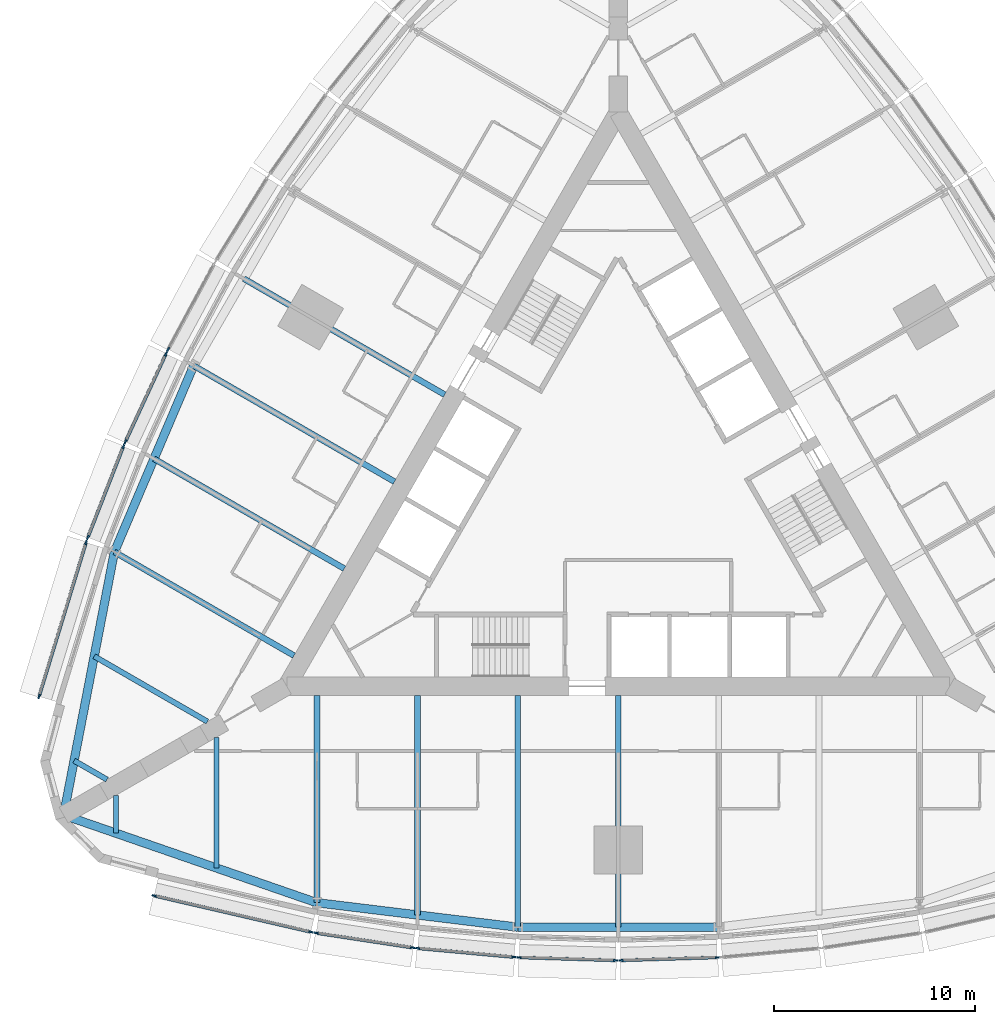
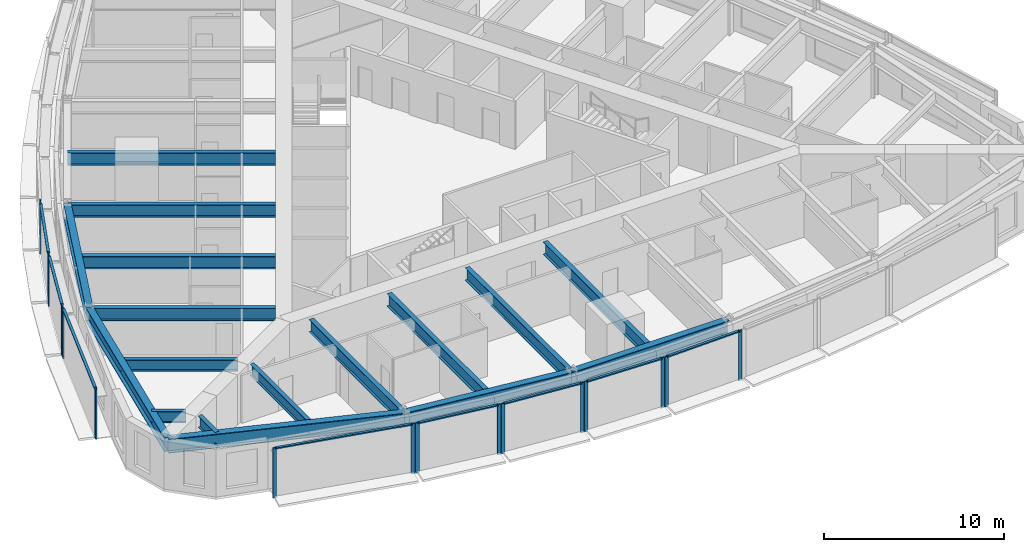
# One storey, part 2 of 14: 25 members, 17 beams, 9 elements without a shape of their own.
"""IFC4 building model written with IfcOpenShell, lengths in metres."""

from ifc_helpers import new_model, si_unit, direction, frame, origin, origin_2d, place, context, subcontext, project, spatial, rectangle, i_section, extrude, material, material_profile, profile_set, type_object, element, aggregate, save


model = new_model("IFC4")

# Units and contexts
model_context = context("Model", 3, precision=1e-05, world=origin(), true_north=direction((0.0, 1.0)))
body_context = subcontext(model_context, "Body", "Model", "MODEL_VIEW")
ifc_project = project(units=[si_unit("LENGTHUNIT", "METRE"), si_unit("AREAUNIT", "SQUARE_METRE"), si_unit("VOLUMEUNIT", "CUBIC_METRE"), si_unit("PLANEANGLEUNIT", "RADIAN"), si_unit("MASSUNIT", "GRAM", prefix="KILO")], contexts=[model_context])

# Site, building, storey
site_placement = place(None, origin())
site = spatial("IfcSite", under=ifc_project, at=site_placement, CompositionType="ELEMENT")
building_placement = place(site_placement, origin())
building = spatial("IfcBuilding", under=site, at=building_placement, Name="Trikona Tower", CompositionType="ELEMENT")
storey_placement = place(building_placement, frame((0.0, 0.0, 48.89990234375)))
storey = spatial("IfcBuildingStorey", under=building, at=storey_placement, Name="L11", CompositionType="ELEMENT", Elevation=48.89990234375)

# Curtain wall, members
ifc_material_1 = material(Name="Aluminium curtain wall system", Category="aluminium")
curtain_wall_type = type_object("IfcCurtainWallType", Name="Curtain wall DS1", PredefinedType="NOTDEFINED", material=ifc_material_1)
curtain_wall_1_placement = place(storey_placement, origin())
curtain_wall_1 = element("IfcCurtainWall", 1, at=curtain_wall_1_placement, inside=storey, type_object=curtain_wall_type, Name="Curtain wall DS1 L11", PredefinedType="NOTDEFINED")
ifc_material_2 = material(Name="Aluminium mullion, pale anodised", Category="aluminium")
ifc_material_profile_1 = material_profile(ifc_material_2, rectangle(XDim=0.080078125, YDim=0.219970703125, at=origin_2d()), Name="MUL-DS1")
ifc_profile_set_1 = profile_set([ifc_material_profile_1], Name="Aluminium mullion, pale anodised")
member_type_1 = type_object("IfcMemberType", Name="Mullion DS1 80x220", PredefinedType="MULLION", material=ifc_profile_set_1)
member_1_placement = place(storey_placement, frame((-23.10546875, -19.951904296875, 0.0), z_axis=(0.0, 0.0, 1.0), x_axis=(0.225343288756, 0.974279427173, 0.0)))
member_1 = element("IfcMember", 2, at=member_1_placement, type_object=member_type_1, Name="CW-DS1 mullion 1", PredefinedType="MULLION", context=body_context, shape_type="SweptSolid", body=[
    extrude(rectangle(XDim=0.080078125, YDim=0.219970703125, at=origin_2d()), origin(), (0.0, 0.0, 1.0), 3.400146484375),
])
member_2_placement = place(storey_placement, frame((-15.30029296875, -21.75732421875, 0.0), z_axis=(0.0, 0.0, 1.0), x_axis=(0.225343288756, 0.974279427173, 0.0)))
member_2 = element("IfcMember", 3, at=member_2_placement, type_object=member_type_1, Name="CW-DS1 mullion 2", PredefinedType="MULLION", context=body_context, shape_type="SweptSolid", body=[
    extrude(rectangle(XDim=0.080078125, YDim=0.219970703125, at=origin_2d()), origin(), (0.0, 0.0, 1.0), 3.400146484375),
])

curtain_wall_2_placement = place(storey_placement, origin())
curtain_wall_2 = element("IfcCurtainWall", 4, at=curtain_wall_2_placement, inside=storey, type_object=curtain_wall_type, Name="Curtain wall DS1 L11", PredefinedType="NOTDEFINED")
member_3_placement = place(storey_placement, frame((-15.03662109375, -21.807861328125, 0.0), z_axis=(0.0, 0.0, 1.0), x_axis=(0.150437693845, 0.988619492156, 0.0)))
member_3 = element("IfcMember", 5, at=member_3_placement, type_object=member_type_1, Name="CW-DS1 mullion 1", PredefinedType="MULLION", context=body_context, shape_type="SweptSolid", body=[
    extrude(rectangle(XDim=0.080078125, YDim=0.219970703125, at=origin_2d()), origin(), (0.0, 0.0, 1.0), 3.400146484375),
])
member_4_placement = place(storey_placement, frame((-10.234130859375, -22.53857421875, 0.0), z_axis=(0.0, 0.0, 1.0), x_axis=(0.150437693845, 0.988619492156, 0.0)))
member_4 = element("IfcMember", 6, at=member_4_placement, type_object=member_type_1, Name="CW-DS1 mullion 2", PredefinedType="MULLION", context=body_context, shape_type="SweptSolid", body=[
    extrude(rectangle(XDim=0.080078125, YDim=0.219970703125, at=origin_2d()), origin(), (0.0, 0.0, 1.0), 3.400146484375),
])

curtain_wall_3_placement = place(storey_placement, origin())
curtain_wall_3 = element("IfcCurtainWall", 7, at=curtain_wall_3_placement, inside=storey, type_object=curtain_wall_type, Name="Curtain wall DS1 L11", PredefinedType="NOTDEFINED")
member_5_placement = place(storey_placement, frame((-9.982177734375, -22.5693359375, 0.0), z_axis=(0.0, 0.0, 1.0), x_axis=(0.090923932737, 0.995857840485, 0.0)))
member_5 = element("IfcMember", 8, at=member_5_placement, type_object=member_type_1, Name="CW-DS1 mullion 1", PredefinedType="MULLION", context=body_context, shape_type="SweptSolid", body=[
    extrude(rectangle(XDim=0.080078125, YDim=0.219970703125, at=origin_2d()), origin(), (0.0, 0.0, 1.0), 3.400146484375),
])
member_6_placement = place(storey_placement, frame((-5.181396484375, -23.007568359375, 0.0), z_axis=(0.0, 0.0, 1.0), x_axis=(0.090923932737, 0.995857840485, 0.0)))
member_6 = element("IfcMember", 9, at=member_6_placement, type_object=member_type_1, Name="CW-DS1 mullion 2", PredefinedType="MULLION", context=body_context, shape_type="SweptSolid", body=[
    extrude(rectangle(XDim=0.080078125, YDim=0.219970703125, at=origin_2d()), origin(), (0.0, 0.0, 1.0), 3.400146484375),
])

curtain_wall_4_placement = place(storey_placement, origin())
curtain_wall_4 = element("IfcCurtainWall", 10, at=curtain_wall_4_placement, inside=storey, type_object=curtain_wall_type, Name="Curtain wall DS1 L11", PredefinedType="NOTDEFINED")
member_7_placement = place(storey_placement, frame((-4.927490234375, -23.02294921875, 0.0), z_axis=(0.0, 0.0, 1.0), x_axis=(0.030436711692, 0.999536695965, 0.0)))
member_7 = element("IfcMember", 11, at=member_7_placement, type_object=member_type_1, Name="CW-DS1 mullion 1", PredefinedType="MULLION", context=body_context, shape_type="SweptSolid", body=[
    extrude(rectangle(XDim=0.080078125, YDim=0.219970703125, at=origin_2d()), origin(), (0.0, 0.0, 1.0), 3.400146484375),
])
member_8_placement = place(storey_placement, frame((-0.12744140625, -23.169189453125, 0.0), z_axis=(0.0, 0.0, 1.0), x_axis=(0.030436711692, 0.999536695965, 0.0)))
member_8 = element("IfcMember", 12, at=member_8_placement, type_object=member_type_1, Name="CW-DS1 mullion 2", PredefinedType="MULLION", context=body_context, shape_type="SweptSolid", body=[
    extrude(rectangle(XDim=0.080078125, YDim=0.219970703125, at=origin_2d()), origin(), (0.0, 0.0, 1.0), 3.400146484375),
])

curtain_wall_5_placement = place(storey_placement, origin())
curtain_wall_5 = element("IfcCurtainWall", 13, at=curtain_wall_5_placement, inside=storey, type_object=curtain_wall_type, Name="Curtain wall DS1 L11", PredefinedType="NOTDEFINED")
member_9_placement = place(storey_placement, frame((0.12744140625, -23.169189453125, 0.0), z_axis=(0.0, 0.0, 1.0), x_axis=(-0.030436711692, 0.999536695965, 0.0)))
member_9 = element("IfcMember", 14, at=member_9_placement, type_object=member_type_1, Name="CW-DS1 mullion 1", PredefinedType="MULLION", context=body_context, shape_type="SweptSolid", body=[
    extrude(rectangle(XDim=0.080078125, YDim=0.219970703125, at=origin_2d()), origin(), (0.0, 0.0, 1.0), 3.400146484375),
])
member_10_placement = place(storey_placement, frame((4.927490234375, -23.02294921875, 0.0), z_axis=(0.0, 0.0, 1.0), x_axis=(-0.030436711692, 0.999536695965, 0.0)))
member_10 = element("IfcMember", 15, at=member_10_placement, type_object=member_type_1, Name="CW-DS1 mullion 2", PredefinedType="MULLION", context=body_context, shape_type="SweptSolid", body=[
    extrude(rectangle(XDim=0.080078125, YDim=0.219970703125, at=origin_2d()), origin(), (0.0, 0.0, 1.0), 3.400146484375),
])

# Curtain wall, member
curtain_wall_6_placement = place(storey_placement, origin())
curtain_wall_6 = element("IfcCurtainWall", 16, at=curtain_wall_6_placement, inside=storey, type_object=curtain_wall_type, Name="Curtain wall DS1 L11", PredefinedType="NOTDEFINED")
member_11_placement = place(storey_placement, frame((-22.402099609375, 7.244140625, 0.0), z_axis=(0.0, 0.0, 1.0), x_axis=(0.880843080975, -0.473408350896, 0.0)))
member_11 = element("IfcMember", 17, at=member_11_placement, type_object=member_type_1, Name="CW-DS1 mullion 2", PredefinedType="MULLION", context=body_context, shape_type="SweptSolid", body=[
    extrude(rectangle(XDim=0.080078125, YDim=0.219970703125, at=origin_2d()), origin(), (0.0, 0.0, 1.0), 3.400146484375),
])
aggregate(curtain_wall_6, [member_11])

# Curtain wall, members
curtain_wall_7_placement = place(storey_placement, origin())
curtain_wall_7 = element("IfcCurtainWall", 18, at=curtain_wall_7_placement, inside=storey, type_object=curtain_wall_type, Name="Curtain wall DS1 L11", PredefinedType="NOTDEFINED")
member_12_placement = place(storey_placement, frame((-22.515869140625, 7.0166015625, 0.0), z_axis=(0.0, 0.0, 1.0), x_axis=(0.907898459992, -0.419190155352, 0.0)))
member_12 = element("IfcMember", 19, at=member_12_placement, type_object=member_type_1, Name="CW-DS1 mullion 1", PredefinedType="MULLION", context=body_context, shape_type="SweptSolid", body=[
    extrude(rectangle(XDim=0.080078125, YDim=0.219970703125, at=origin_2d()), origin(), (0.0, 0.0, 1.0), 3.400146484375),
])
member_13_placement = place(storey_placement, frame((-24.53662109375, 2.6396484375, 0.0), z_axis=(0.0, 0.0, 1.0), x_axis=(0.907898459992, -0.419190155352, 0.0)))
member_13 = element("IfcMember", 20, at=member_13_placement, type_object=member_type_1, Name="CW-DS1 mullion 2", PredefinedType="MULLION", context=body_context, shape_type="SweptSolid", body=[
    extrude(rectangle(XDim=0.080078125, YDim=0.219970703125, at=origin_2d()), origin(), (0.0, 0.0, 1.0), 3.400146484375),
])

curtain_wall_8_placement = place(storey_placement, origin())
curtain_wall_8 = element("IfcCurtainWall", 21, at=curtain_wall_8_placement, inside=storey, type_object=curtain_wall_type, Name="Curtain wall DS1 L11", PredefinedType="NOTDEFINED")
member_14_placement = place(storey_placement, frame((-24.63623046875, 2.40625, 0.0), z_axis=(0.0, 0.0, 1.0), x_axis=(0.931395989443, -0.36400756977, 0.0)))
member_14 = element("IfcMember", 22, at=member_14_placement, type_object=member_type_1, Name="CW-DS1 mullion 1", PredefinedType="MULLION", context=body_context, shape_type="SweptSolid", body=[
    extrude(rectangle(XDim=0.080078125, YDim=0.219970703125, at=origin_2d()), origin(), (0.0, 0.0, 1.0), 3.400146484375),
])
member_15_placement = place(storey_placement, frame((-26.404296875, -2.1181640625, 0.0), z_axis=(0.0, 0.0, 1.0), x_axis=(0.931395989443, -0.36400756977, 0.0)))
member_15 = element("IfcMember", 23, at=member_15_placement, type_object=member_type_1, Name="CW-DS1 mullion 2", PredefinedType="MULLION", context=body_context, shape_type="SweptSolid", body=[
    extrude(rectangle(XDim=0.080078125, YDim=0.219970703125, at=origin_2d()), origin(), (0.0, 0.0, 1.0), 3.400146484375),
])

curtain_wall_9_placement = place(storey_placement, origin())
curtain_wall_9 = element("IfcCurtainWall", 24, at=curtain_wall_9_placement, inside=storey, type_object=curtain_wall_type, Name="Curtain wall DS1 L11", PredefinedType="NOTDEFINED")
member_16_placement = place(storey_placement, frame((-26.492431640625, -2.371826171875, 0.0), z_axis=(0.0, 0.0, 1.0), x_axis=(0.956423115383, -0.291984287868, 0.0)))
member_16 = element("IfcMember", 25, at=member_16_placement, type_object=member_type_1, Name="CW-DS1 mullion 1", PredefinedType="MULLION", context=body_context, shape_type="SweptSolid", body=[
    extrude(rectangle(XDim=0.080078125, YDim=0.219970703125, at=origin_2d()), origin(), (0.0, 0.0, 1.0), 3.400146484375),
])
member_17_placement = place(storey_placement, frame((-28.83154296875, -10.033935546875, 0.0), z_axis=(0.0, 0.0, 1.0), x_axis=(0.956423115383, -0.291984287868, 0.0)))
member_17 = element("IfcMember", 26, at=member_17_placement, type_object=member_type_1, Name="CW-DS1 mullion 2", PredefinedType="MULLION", context=body_context, shape_type="SweptSolid", body=[
    extrude(rectangle(XDim=0.080078125, YDim=0.219970703125, at=origin_2d()), origin(), (0.0, 0.0, 1.0), 3.400146484375),
])

# Beams
ifc_material_3 = material(Name="Steel ASTM A992 Grade 50", Category="steel")
ifc_material_profile_2 = material_profile(ifc_material_3, i_section(OverallWidth=0.2666015625, OverallDepth=0.76953125, WebThickness=0.015625, FlangeThickness=0.025390625, at=origin_2d()), Name="W30X132")
ifc_profile_set_2 = profile_set([ifc_material_profile_2], Name="Steel ASTM A992 Grade 50")
beam_type_1 = type_object("IfcBeamType", Name="Steel beam W30x132 (wedge)", PredefinedType="BEAM", material=ifc_profile_set_2)
beam_1_placement = place(storey_placement, frame((-25.0, -14.953369140625, 2.850341796875), z_axis=(0.0, -1.0, 0.0), x_axis=(1.0, 0.0, 0.0)))
element("IfcBeam", 27, at=beam_1_placement, inside=storey, type_object=beam_type_1, Name="Floor beam L12 F1 u-25", PredefinedType="BEAM", context=body_context, shape_type="SweptSolid", body=[
    extrude(i_section(OverallWidth=0.2666015625, OverallDepth=0.76953125, WebThickness=0.015625, FlangeThickness=0.025390625, at=origin_2d()), origin(), (0.0, 0.0, 1.0), 1.890380859375),
])
for number, where, z_axis, x_axis, name in (
    (28, (-20.0, -12.066650390625, 2.850341796875), (0.0, -1.0, 0.0), (1.0, 0.0, 0.0), "Floor beam L12 F1 u-20"),
    (29, (-20.449951171875, -11.287109375, 2.850341796875), (-0.866022504693, 0.50000502134, 0.0), (-0.50000502134, -0.866022504693, 0.0), "Floor beam L12 F3 u20"),
):
    element("IfcBeam", number, at=place(storey_placement, frame(where, z_axis=z_axis, x_axis=x_axis)), inside=storey, type_object=beam_type_1, Name=name, PredefinedType="BEAM", context=body_context, shape_type="SweptSolid", body=[
        extrude(i_section(OverallWidth=0.2666015625, OverallDepth=0.76953125, WebThickness=0.015625, FlangeThickness=0.025390625, at=origin_2d()), origin(), (0.0, 0.0, 1.0), 6.5068359375),
    ])
beam_2_placement = place(storey_placement, frame((-25.449951171875, -14.173828125, 2.850341796875), z_axis=(-0.866065156741, 0.499931139538, 0.0), x_axis=(-0.499931139538, -0.866065156741, 0.0)))
element("IfcBeam", 30, at=beam_2_placement, inside=storey, type_object=beam_type_1, Name="Floor beam L12 F3 u25", PredefinedType="BEAM", context=body_context, shape_type="SweptSolid", body=[
    extrude(i_section(OverallWidth=0.2666015625, OverallDepth=0.76953125, WebThickness=0.015625, FlangeThickness=0.025390625, at=origin_2d()), origin(), (0.0, 0.0, 1.0), 1.890380859375),
])
ifc_material_4 = material(Name="Steel ASTM A992 Grade 50", Category="steel")
ifc_material_profile_3 = material_profile(ifc_material_4, i_section(OverallWidth=0.2919921875, OverallDepth=0.845703125, WebThickness=0.015380859375, FlangeThickness=0.0244140625, at=origin_2d()), Name="W33X141")
ifc_profile_set_3 = profile_set([ifc_material_profile_3], Name="Steel ASTM A992 Grade 50")
beam_type_2 = type_object("IfcBeamType", Name="Steel beam W33x141 (radial typ)", PredefinedType="BEAM", material=ifc_profile_set_3)
beam_3_placement = place(storey_placement, frame((-15.0, -9.976318359375, 2.812255859375), z_axis=(0.0, -1.0, 0.0), x_axis=(1.0, 0.0, 0.0)))
element("IfcBeam", 31, at=beam_3_placement, inside=storey, type_object=beam_type_2, Name="Floor beam L12 F1 u-15", PredefinedType="BEAM", context=body_context, shape_type="SweptSolid", body=[
    extrude(i_section(OverallWidth=0.2919921875, OverallDepth=0.845703125, WebThickness=0.015380859375, FlangeThickness=0.0244140625, at=origin_2d()), origin(), (0.0, 0.0, 1.0), 10.32666015625),
])
beam_4_placement = place(storey_placement, frame((-10.0, -9.976318359375, 2.812255859375), z_axis=(0.0, -1.0, 0.0), x_axis=(1.0, 0.0, 0.0)))
element("IfcBeam", 32, at=beam_4_placement, inside=storey, type_object=beam_type_2, Name="Floor beam L12 F1 u-10", PredefinedType="BEAM", context=body_context, shape_type="SweptSolid", body=[
    extrude(i_section(OverallWidth=0.2919921875, OverallDepth=0.845703125, WebThickness=0.015380859375, FlangeThickness=0.0244140625, at=origin_2d()), origin(), (0.0, 0.0, 1.0), 10.935302734375),
])
for number, where, z_axis, x_axis, name in (
    (33, (-5.0, -9.976318359375, 2.812255859375), (0.0, -1.0, 0.0), (1.0, 0.0, 0.0), "Floor beam L12 F1 u-5"),
    (34, (0.0, -9.976318359375, 2.812255859375), (0.0, -1.0, 0.0), (1.0, 0.0, 0.0), "Floor beam L12 F1 u0"),
    (35, (-8.6396484375, 4.988037109375, 2.812255859375), (-0.866020765707, 0.500008033299, 0.0), (-0.500008033299, -0.866020765707, 0.0), "Floor beam L12 F3 u0"),
    (36, (-11.1396484375, 0.657958984375, 2.812255859375), (-0.866020765707, 0.500008033299, 0.0), (-0.500008033299, -0.866020765707, 0.0), "Floor beam L12 F3 u5"),
):
    element("IfcBeam", number, at=place(storey_placement, frame(where, z_axis=z_axis, x_axis=x_axis)), inside=storey, type_object=beam_type_2, Name=name, PredefinedType="BEAM", context=body_context, shape_type="SweptSolid", body=[
        extrude(i_section(OverallWidth=0.2919921875, OverallDepth=0.845703125, WebThickness=0.015380859375, FlangeThickness=0.0244140625, at=origin_2d()), origin(), (0.0, 0.0, 1.0), 11.544189453125),
    ])
beam_5_placement = place(storey_placement, frame((-13.6396484375, -3.672119140625, 2.812255859375), z_axis=(-0.866025348605, 0.500000095573, 0.0), x_axis=(-0.500000095573, -0.866025348605, 0.0)))
element("IfcBeam", 37, at=beam_5_placement, inside=storey, type_object=beam_type_2, Name="Floor beam L12 F3 u10", PredefinedType="BEAM", context=body_context, shape_type="SweptSolid", body=[
    extrude(i_section(OverallWidth=0.2919921875, OverallDepth=0.845703125, WebThickness=0.015380859375, FlangeThickness=0.0244140625, at=origin_2d()), origin(), (0.0, 0.0, 1.0), 10.935546875),
])
beam_6_placement = place(storey_placement, frame((-16.1396484375, -8.002197265625, 2.812255859375), z_axis=(-0.866030471684, 0.499991222037, 0.0), x_axis=(-0.499991222037, -0.866030471684, 0.0)))
element("IfcBeam", 38, at=beam_6_placement, inside=storey, type_object=beam_type_2, Name="Floor beam L12 F3 u15", PredefinedType="BEAM", context=body_context, shape_type="SweptSolid", body=[
    extrude(i_section(OverallWidth=0.2919921875, OverallDepth=0.845703125, WebThickness=0.015380859375, FlangeThickness=0.0244140625, at=origin_2d()), origin(), (0.0, 0.0, 1.0), 10.326904296875),
])
ifc_material_5 = material(Name="Steel ASTM A992 Grade 50", Category="steel")
ifc_material_profile_4 = material_profile(ifc_material_5, i_section(OverallWidth=0.424072265625, OverallDepth=0.947509765625, WebThickness=0.02392578125, FlangeThickness=0.042724609375, at=origin_2d()), Name="W36X302")
ifc_profile_set_4 = profile_set([ifc_material_profile_4], Name="Steel ASTM A992 Grade 50")
beam_type_3 = type_object("IfcBeamType", Name="Steel beam W36x302 (spandrel)", PredefinedType="SPANDREL", material=ifc_profile_set_4)
beam_7_placement = place(storey_placement, frame((-27.6103515625, -15.94091796875, 2.761474609375), z_axis=(0.945056965739, -0.326905692071, 0.0), x_axis=(0.326905692071, 0.945056965739, 0.0)))
element("IfcBeam", 39, at=beam_7_placement, inside=storey, type_object=beam_type_3, Name="Spandrel beam L12 F1-1", PredefinedType="SPANDREL", context=body_context, shape_type="SweptSolid", body=[
    extrude(i_section(OverallWidth=0.424072265625, OverallDepth=0.947509765625, WebThickness=0.02392578125, FlangeThickness=0.042724609375, at=origin_2d()), origin(), (0.0, 0.0, 1.0), 13.343505859375),
])
beam_8_placement = place(storey_placement, frame((-15.0, -20.302978515625, 2.761474609375), z_axis=(0.99266951126, -0.120860421207, 0.0), x_axis=(0.120860421207, 0.99266951126, 0.0)))
element("IfcBeam", 40, at=beam_8_placement, inside=storey, type_object=beam_type_3, Name="Spandrel beam L12 F1-2", PredefinedType="SPANDREL", context=body_context, shape_type="SweptSolid", body=[
    extrude(i_section(OverallWidth=0.424072265625, OverallDepth=0.947509765625, WebThickness=0.02392578125, FlangeThickness=0.042724609375, at=origin_2d()), origin(), (0.0, 0.0, 1.0), 10.07373046875),
])
beam_9_placement = place(storey_placement, frame((-5.0, -21.5205078125, 2.761474609375), z_axis=(1.0, 0.0, 0.0), x_axis=(0.0, 1.0, 0.0)))
element("IfcBeam", 41, at=beam_9_placement, inside=storey, type_object=beam_type_3, Name="Spandrel beam L12 F1-3", PredefinedType="SPANDREL", context=body_context, shape_type="SweptSolid", body=[
    extrude(i_section(OverallWidth=0.424072265625, OverallDepth=0.947509765625, WebThickness=0.02392578125, FlangeThickness=0.042724609375, at=origin_2d()), origin(), (0.0, 0.0, 1.0), 10.0),
])
beam_10_placement = place(storey_placement, frame((-21.13720703125, 6.43017578125, 2.761474609375), z_axis=(-0.391683514847, -0.920100007715, 0.0), x_axis=(0.920100007715, -0.391683514847, 0.0)))
element("IfcBeam", 42, at=beam_10_placement, inside=storey, type_object=beam_type_3, Name="Spandrel beam L12 F3-4", PredefinedType="SPANDREL", context=body_context, shape_type="SweptSolid", body=[
    extrude(i_section(OverallWidth=0.424072265625, OverallDepth=0.947509765625, WebThickness=0.02392578125, FlangeThickness=0.042724609375, at=origin_2d()), origin(), (0.0, 0.0, 1.0), 10.073974609375),
])
beam_11_placement = place(storey_placement, frame((-25.0830078125, -2.8388671875, 2.761474609375), z_axis=(-0.189405184036, -0.981899015307, 0.0), x_axis=(0.981899015307, -0.189405184036, 0.0)))
element("IfcBeam", 43, at=beam_11_placement, inside=storey, type_object=beam_type_3, Name="Spandrel beam L12 F3-5", PredefinedType="SPANDREL", context=body_context, shape_type="SweptSolid", body=[
    extrude(i_section(OverallWidth=0.424072265625, OverallDepth=0.947509765625, WebThickness=0.02392578125, FlangeThickness=0.042724609375, at=origin_2d()), origin(), (0.0, 0.0, 1.0), 13.343505859375),
])

# Member
ifc_material_6 = material(Name="Aluminium transom, pale anodised", Category="aluminium")
ifc_material_profile_5 = material_profile(ifc_material_6, rectangle(XDim=0.159912109375, YDim=0.080078125, at=origin_2d()), Name="TRN-DS1")
ifc_profile_set_5 = profile_set([ifc_material_profile_5], Name="Aluminium transom, pale anodised")
member_type_2 = type_object("IfcMemberType", Name="Transom DS1 80x160", PredefinedType="USERDEFINED", material=ifc_profile_set_5)
member_18_placement = place(storey_placement, frame((-23.06640625, -19.9609375, 3.360107421875), z_axis=(0.974275371842, -0.225360821398, 0.0), x_axis=(0.225360821398, 0.974275371842, 0.0)))
member_18 = element("IfcMember", 44, at=member_18_placement, type_object=member_type_2, Name="CW-DS1 transom 1.1", ObjectType="TRANSOM", PredefinedType="USERDEFINED", context=body_context, shape_type="SweptSolid", body=[
    extrude(rectangle(XDim=0.159912109375, YDim=0.080078125, at=origin_2d()), origin(), (0.0, 0.0, 1.0), 7.93115234375),
])

aggregate(curtain_wall_1, [member_1, member_2, member_18])

member_19_placement = place(storey_placement, frame((-14.9970703125, -21.813720703125, 3.360107421875), z_axis=(0.988619663412, -0.150436568413, 0.0), x_axis=(0.150436568413, 0.988619663412, 0.0)))
member_19 = element("IfcMember", 45, at=member_19_placement, type_object=member_type_2, Name="CW-DS1 transom 1.1", ObjectType="TRANSOM", PredefinedType="USERDEFINED", context=body_context, shape_type="SweptSolid", body=[
    extrude(rectangle(XDim=0.159912109375, YDim=0.080078125, at=origin_2d()), origin(), (0.0, 0.0, 1.0), 4.77783203125),
])

aggregate(curtain_wall_2, [member_3, member_4, member_19])

member_20_placement = place(storey_placement, frame((-9.9423828125, -22.57275390625, 3.360107421875), z_axis=(0.995855977008, -0.090944340438, 0.0), x_axis=(0.090944340438, 0.995855977008, 0.0)))
member_20 = element("IfcMember", 46, at=member_20_placement, type_object=member_type_2, Name="CW-DS1 transom 1.1", ObjectType="TRANSOM", PredefinedType="USERDEFINED", context=body_context, shape_type="SweptSolid", body=[
    extrude(rectangle(XDim=0.159912109375, YDim=0.080078125, at=origin_2d()), origin(), (0.0, 0.0, 1.0), 4.74072265625),
])

aggregate(curtain_wall_3, [member_5, member_6, member_20])

member_21_placement = place(storey_placement, frame((-4.887451171875, -23.024169921875, 3.360107421875), z_axis=(0.999536232946, -0.030451913371, 0.0), x_axis=(0.030451913371, 0.999536232946, 0.0)))
member_21 = element("IfcMember", 47, at=member_21_placement, type_object=member_type_2, Name="CW-DS1 transom 1.1", ObjectType="TRANSOM", PredefinedType="USERDEFINED", context=body_context, shape_type="SweptSolid", body=[
    extrude(rectangle(XDim=0.159912109375, YDim=0.080078125, at=origin_2d()), origin(), (0.0, 0.0, 1.0), 4.72216796875),
])

aggregate(curtain_wall_4, [member_7, member_8, member_21])

member_22_placement = place(storey_placement, frame((0.16748046875, -23.16796875, 3.360107421875), z_axis=(0.999536232946, 0.030451913371, 0.0), x_axis=(-0.030451913371, 0.999536232946, 0.0)))
member_22 = element("IfcMember", 48, at=member_22_placement, type_object=member_type_2, Name="CW-DS1 transom 1.1", ObjectType="TRANSOM", PredefinedType="USERDEFINED", context=body_context, shape_type="SweptSolid", body=[
    extrude(rectangle(XDim=0.159912109375, YDim=0.080078125, at=origin_2d()), origin(), (0.0, 0.0, 1.0), 4.72216796875),
])

aggregate(curtain_wall_5, [member_9, member_10, member_22])

member_23_placement = place(storey_placement, frame((-22.53271484375, 6.980224609375, 3.360107421875), z_axis=(-0.419188800665, -0.90789908547, 0.0), x_axis=(0.90789908547, -0.419188800665, 0.0)))
member_23 = element("IfcMember", 49, at=member_23_placement, type_object=member_type_2, Name="CW-DS1 transom 1.1", ObjectType="TRANSOM", PredefinedType="USERDEFINED", context=body_context, shape_type="SweptSolid", body=[
    extrude(rectangle(XDim=0.159912109375, YDim=0.080078125, at=origin_2d()), origin(), (0.0, 0.0, 1.0), 4.74072265625),
])

aggregate(curtain_wall_7, [member_12, member_13, member_23])

member_24_placement = place(storey_placement, frame((-24.650634765625, 2.368896484375, 3.360107421875), z_axis=(-0.364048647668, -0.931379934362, 0.0), x_axis=(0.931379934362, -0.364048647668, 0.0)))
member_24 = element("IfcMember", 50, at=member_24_placement, type_object=member_type_2, Name="CW-DS1 transom 1.1", ObjectType="TRANSOM", PredefinedType="USERDEFINED", context=body_context, shape_type="SweptSolid", body=[
    extrude(rectangle(XDim=0.159912109375, YDim=0.080078125, at=origin_2d()), origin(), (0.0, 0.0, 1.0), 4.777587890625),
])

aggregate(curtain_wall_8, [member_14, member_15, member_24])

member_25_placement = place(storey_placement, frame((-26.504150390625, -2.409912109375, 3.360107421875), z_axis=(-0.291967490203, -0.956428243343, 0.0), x_axis=(0.956428243343, -0.291967490203, 0.0)))
member_25 = element("IfcMember", 51, at=member_25_placement, type_object=member_type_2, Name="CW-DS1 transom 1.1", ObjectType="TRANSOM", PredefinedType="USERDEFINED", context=body_context, shape_type="SweptSolid", body=[
    extrude(rectangle(XDim=0.159912109375, YDim=0.080078125, at=origin_2d()), origin(), (0.0, 0.0, 1.0), 7.93115234375),
])

aggregate(curtain_wall_9, [member_16, member_17, member_25])

save(model, "model.ifc")
